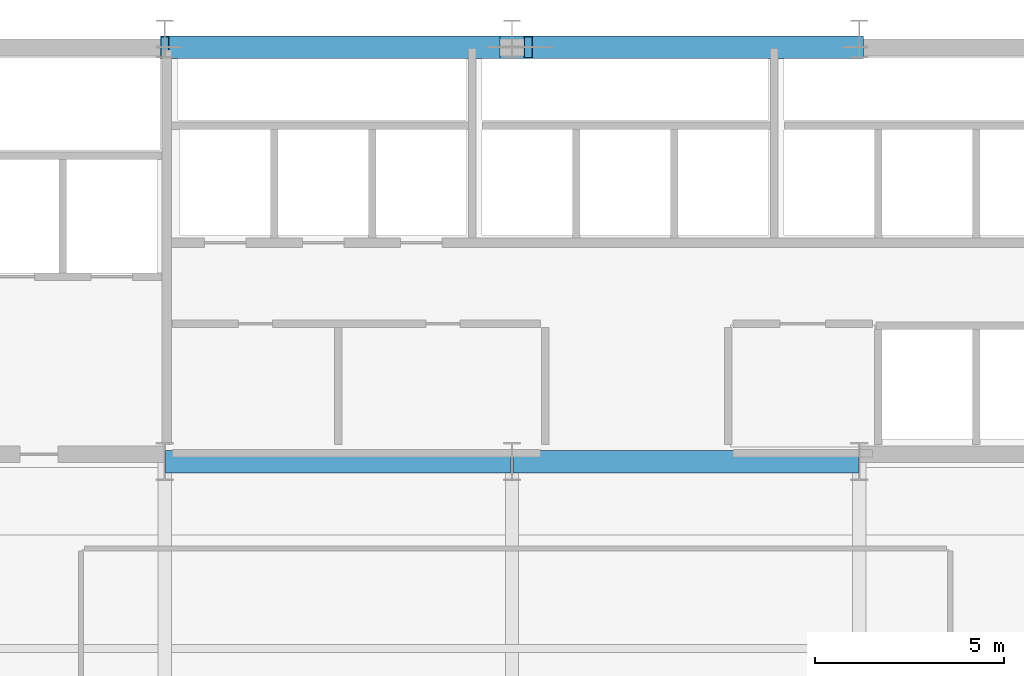
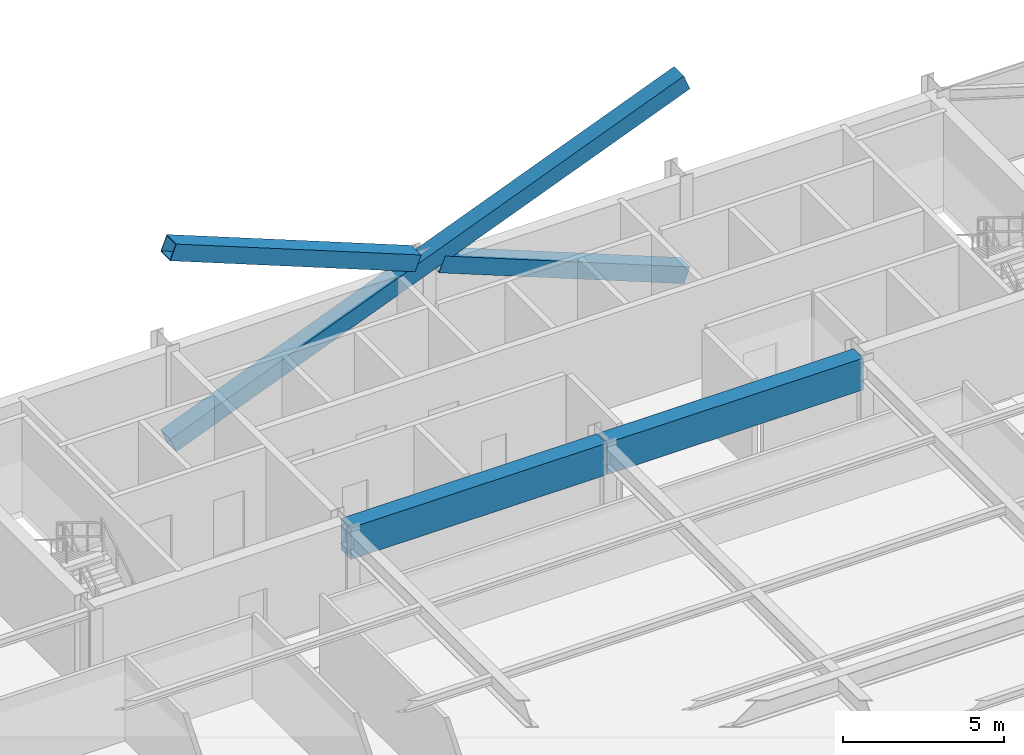
# One storey, part 23 of 35: 3 members, 2 beams.
"""IFC4 building model written with IfcOpenShell, lengths in metres."""

from ifc_helpers import new_model, si_unit, direction, frame, origin, origin_2d, place, context, subcontext, project, spatial, rectangle, hollow_rectangle, extrude, source, transform, mapped, material, material_profile, profile_set, type_object, type_shapes, element, save


model = new_model("IFC4")

# Units and contexts
model_context = context("Model", 3, precision=1e-05, world=origin(), true_north=direction((0.0, 1.0)))
body_context = subcontext(model_context, "Body", "Model", "MODEL_VIEW")
ifc_project = project(units=[si_unit("LENGTHUNIT", "METRE"), si_unit("AREAUNIT", "SQUARE_METRE"), si_unit("VOLUMEUNIT", "CUBIC_METRE"), si_unit("PLANEANGLEUNIT", "RADIAN"), si_unit("MASSUNIT", "GRAM", prefix="KILO")], contexts=[model_context])

# Site, building, storey
site_placement = place(None, origin())
site = spatial("IfcSite", under=ifc_project, at=site_placement, CompositionType="ELEMENT")
building_placement = place(site_placement, origin())
building = spatial("IfcBuilding", under=site, at=building_placement, Name="Varnel Quay Broadcast Tower", CompositionType="ELEMENT")
storey_placement = place(building_placement, frame((0.0, 0.0, 87.0)))
storey = spatial("IfcBuildingStorey", under=building, at=storey_placement, Name="L20", CompositionType="ELEMENT", Elevation=87.0)

# Beams
ifc_material_1 = material(Name="Concrete CSA A23.3 C60/75", Category="concrete")
ifc_material_profile_1 = material_profile(ifc_material_1, rectangle(XDim=0.60009765625, YDim=1.199951171875, at=origin_2d()), Name="RC600X1200")
ifc_profile_set_1 = profile_set([ifc_material_profile_1], Name="Concrete CSA A23.3 C60/75")
beam_type = type_object("IfcBeamType", Name="Beam_RC600X1200", PredefinedType="BEAM", material=ifc_profile_set_1)
shared_shape_1 = source(origin(), body_context, "Body", "SweptSolid", [
    extrude(rectangle(XDim=0.60009765625, YDim=1.199951171875, at=origin_2d()), origin(), (0.0, 0.0, 1.0), 9.159912109375),
])
type_shapes(beam_type, [shared_shape_1])
for number, where, z_axis, x_axis, name in (
    (1, (24.820068359375, 35.60009765625, 2.949951171875), (1.0, 0.0, 0.0), (0.0, 1.0, 0.0), "L20 Core Coupling Beam W"),
    (2, (34.02001953125, 35.60009765625, 2.949951171875), (1.0, 0.0, 0.0), (0.0, 1.0, 0.0), "L20 Core Coupling Beam E"),
):
    element("IfcBeam", number, at=place(storey_placement, frame(where, z_axis=z_axis, x_axis=x_axis)), inside=storey, type_object=beam_type, Name=name, PredefinedType="BEAM", context=body_context, shape_type="MappedRepresentation", body=[
        mapped(shared_shape_1, transform((0.0, 0.0, 0.0), x_axis=(1.0, 0.0, 0.0), y_axis=(0.0, 1.0, 0.0), z_axis=(0.0, 0.0, 1.0), scale=1.0)),
    ])

# Members
ifc_material_2 = material(Name="Structural Steel CSA G40.21 350WT", Category="steel")
ifc_material_profile_2 = material_profile(ifc_material_2, hollow_rectangle(XDim=0.60009765625, YDim=0.60009765625, WallThickness=0.028076171875, at=origin_2d()), Name="BOX600X600X28")
ifc_profile_set_2 = profile_set([ifc_material_profile_2], Name="Structural Steel CSA G40.21 350WT")
member_type = type_object("IfcMemberType", Name="Brace_BOX600X600X28", PredefinedType="BRACE", material=ifc_profile_set_2)
shared_shape_2 = source(origin(), body_context, "Body", "SweptSolid", [
    extrude(hollow_rectangle(XDim=0.60009765625, YDim=0.60009765625, WallThickness=0.028076171875, at=origin_2d()), origin(), (0.0, 0.0, 1.0), 19.798828125),
])
member_placement = place(storey_placement, frame((24.800048828125, 46.580078125, 0.02001953125), z_axis=(0.929343276163, 0.0, 0.369216840152), x_axis=(0.0, 1.0, 0.0)))
element("IfcMember", 3, at=member_placement, inside=storey, type_object=member_type, Name="Zone 2 Mega-Brace N-CT1 Continuous Diag A", PredefinedType="BRACE", context=body_context, shape_type="MappedRepresentation", body=[
    mapped(shared_shape_2, transform((0.0, 0.0, 0.0), x_axis=(1.0, 0.0, 0.0), y_axis=(0.0, 1.0, 0.0), z_axis=(0.0, 0.0, 1.0), scale=1.0)),
])
shared_shape_3 = source(origin(), body_context, "Body", "SweptSolid", [
    extrude(hollow_rectangle(XDim=0.60009765625, YDim=0.60009765625, WallThickness=0.028076171875, at=origin_2d()), origin(), (0.0, 0.0, 1.0), 9.437255859375),
])
type_shapes(member_type, [shared_shape_2, shared_shape_3])
for number, where, z_axis, x_axis, name in (
    (4, (43.199951171875, 46.580078125, 0.02001953125), (-0.929344790344, 0.0, 0.369213028833), (0.0, -1.0, 0.0), "Zone 2 Mega-Brace N-CT1 Split Diag B1"),
    (5, (33.570556640625, 46.580078125, 3.845703125), (-0.929344790344, 0.0, 0.369213028833), (0.0, -1.0, 0.0), "Zone 2 Mega-Brace N-CT1 Split Diag B2"),
):
    element("IfcMember", number, at=place(storey_placement, frame(where, z_axis=z_axis, x_axis=x_axis)), inside=storey, type_object=member_type, Name=name, PredefinedType="BRACE", context=body_context, shape_type="MappedRepresentation", body=[
        mapped(shared_shape_3, transform((0.0, 0.0, 0.0), x_axis=(1.0, 0.0, 0.0), y_axis=(0.0, 1.0, 0.0), z_axis=(0.0, 0.0, 1.0), scale=1.0)),
    ])

save(model, "model.ifc")
